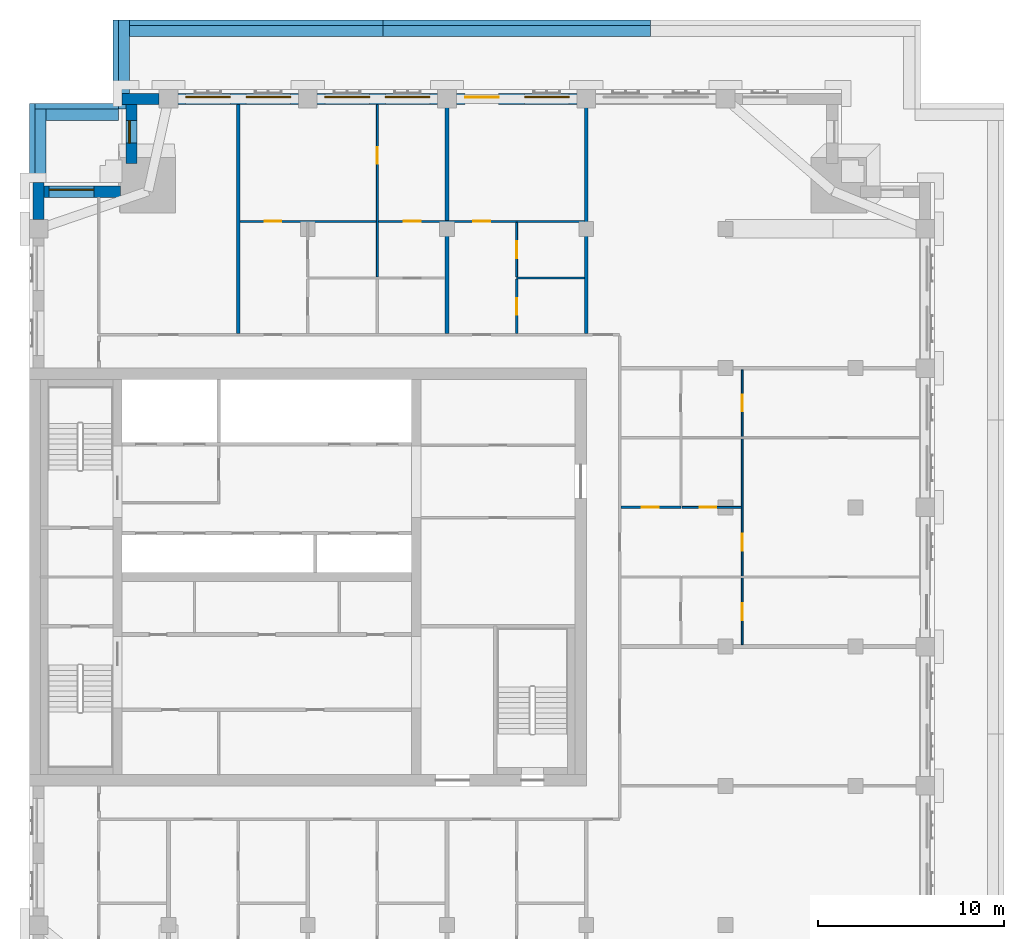
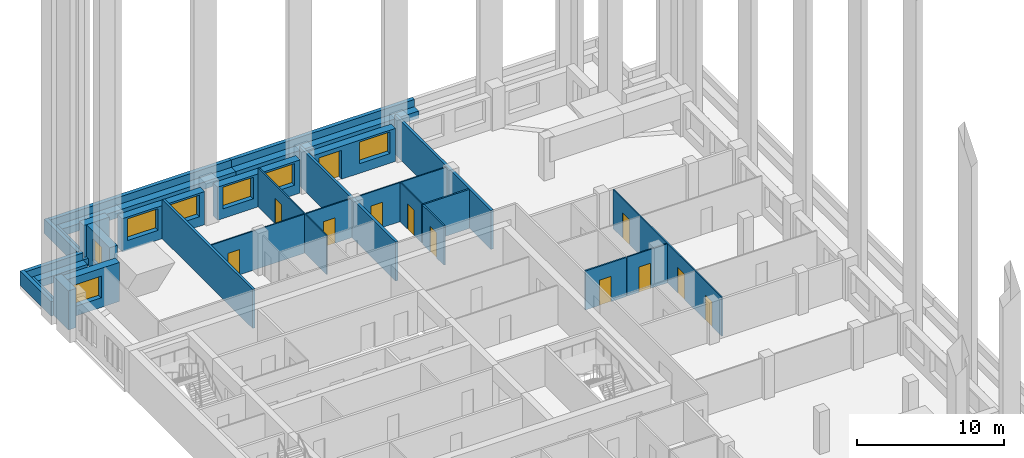
# One storey, part 7 of 12: 28 walls, 12 doors, 7 windows, 19 openings.
"""IFC4 building model written with IfcOpenShell, lengths in metres."""

from ifc_helpers import new_model, si_unit, direction, frame, frame_2d, origin, place, context, subcontext, project, spatial, rectangle, extrude, material, layer, layer_set, type_object, element, fill, save


model = new_model("IFC4")

# Units and contexts
model_context = context("Model", 3, precision=1e-05, world=origin(), true_north=direction((0.0, 1.0)))
body_context = subcontext(model_context, "Body", "Model", "MODEL_VIEW")
ifc_project = project(units=[si_unit("LENGTHUNIT", "METRE"), si_unit("AREAUNIT", "SQUARE_METRE"), si_unit("VOLUMEUNIT", "CUBIC_METRE"), si_unit("PLANEANGLEUNIT", "RADIAN"), si_unit("MASSUNIT", "GRAM", prefix="KILO")], contexts=[model_context])

# Site, building, storey
site_placement = place(None, origin())
site = spatial("IfcSite", under=ifc_project, at=site_placement, CompositionType="ELEMENT")
building_placement = place(site_placement, origin())
building = spatial("IfcBuilding", under=site, at=building_placement, Name="Tamorin Gate", CompositionType="ELEMENT")
storey_placement = place(building_placement, frame((0.0, 0.0, 219.699951171875)))
storey = spatial("IfcBuildingStorey", under=building, at=storey_placement, Name="L54", CompositionType="ELEMENT", Elevation=219.699951171875)

# Wall, openings, window, door
ifc_material_1 = material(Name="Precast concrete C40/50", Category="concrete")
ifc_layer_1 = layer(ifc_material_1, 0.60009765625)
ifc_layer_set_1 = layer_set([ifc_layer_1], Name="Precast concrete C40/50")
wall_type_1 = type_object("IfcWallType", Name="Board-marked concrete facade panel 600", PredefinedType="SOLIDWALL", material=ifc_layer_set_1)
wall_1_placement = place(storey_placement, frame((59.5, 97.0, 0.0), z_axis=(0.0, 0.0, 1.0), x_axis=(-1.0, 0.0, 0.0)))
wall_1 = element("IfcWall", 1, at=wall_1_placement, inside=storey, type_object=wall_type_1, Name="Facade panel", PredefinedType="SOLIDWALL", context=body_context, shape_type="SweptSolid", body=[
    extrude(rectangle(XDim=6.5, YDim=0.60009765625, at=frame_2d((3.25, 0.0))), origin(), (0.0, 0.0, 1.0), 2.75),
])
opening_1_placement = place(wall_1_placement, frame((4.22509765625, 0.0, 0.0)))
opening_1 = element("IfcOpeningElement", 2, at=opening_1_placement, cuts=wall_1, Name="Opening DX1", PredefinedType="OPENING", context=body_context, shape_type="SweptSolid", body=[
    extrude(rectangle(XDim=1.800048828125, YDim=2.39990234375, at=frame_2d((0.89990234375, 1.199951171875))), frame((0.0, 0.31005859375, 0.0), z_axis=(0.0, -1.0, 0.0), x_axis=(1.0, 0.0, 0.0)), (0.0, 0.0, 1.0), 0.6201171875),
])
opening_2_placement = place(wall_1_placement, frame((0.425048828125, 0.0, 0.800048828125)))
opening_2 = element("IfcOpeningElement", 3, at=opening_2_placement, cuts=wall_1, Name="Opening WN1", PredefinedType="OPENING", context=body_context, shape_type="SweptSolid", body=[
    extrude(rectangle(XDim=2.39990234375, YDim=1.800048828125, at=frame_2d((1.199951171875, 0.89990234375))), frame((0.0, 0.31005859375, 0.0), z_axis=(0.0, -1.0, 0.0), x_axis=(1.0, 0.0, 0.0)), (0.0, 0.0, 1.0), 0.6201171875),
])
ifc_material_2 = material(Name="Clear glass in aluminium frame", Category="aluminium")
window_type_1 = type_object("IfcWindowType", Name="Deep-set window 2400x1800", PartitioningType="SINGLE_PANEL", PredefinedType="WINDOW", material=ifc_material_2)
window_1_placement = place(opening_2_placement, origin())
window_1 = element("IfcWindow", 4, at=window_1_placement, inside=storey, type_object=window_type_1, Name="Deep-set window", OverallHeight=1.800048828125, OverallWidth=2.39990234375, PartitioningType="SINGLE_PANEL", PredefinedType="WINDOW", context=body_context, shape_type="SweptSolid", body=[
    extrude(rectangle(XDim=2.39990234375, YDim=1.800048828125, at=frame_2d((1.199951171875, 0.89990234375))), frame((0.0, -0.070068359375, 0.0), z_axis=(0.0, -1.0, 0.0), x_axis=(1.0, 0.0, 0.0)), (0.0, 0.0, 1.0), 0.06005859375),
])
fill(opening_2, window_1)
door_type_1 = type_object("IfcDoorType", Name="Terrace door 1800x2400", OperationType="DOUBLE_DOOR_SINGLE_SWING", PredefinedType="DOOR", material=ifc_material_2)
door_1_placement = place(opening_1_placement, origin())
door_1 = element("IfcDoor", 5, at=door_1_placement, inside=storey, type_object=door_type_1, Name="Terrace door", OperationType="SINGLE_SWING_LEFT", OverallHeight=2.39990234375, OverallWidth=1.800048828125, PredefinedType="DOOR", context=body_context, shape_type="SweptSolid", body=[
    extrude(rectangle(XDim=1.800048828125, YDim=2.39990234375, at=frame_2d((0.89990234375, 1.199951171875))), frame((0.0, -0.0751953125, 0.0), z_axis=(0.0, -1.0, 0.0), x_axis=(1.0, 0.0, 0.0)), (0.0, 0.0, 1.0), 0.050048828125),
])
fill(opening_1, door_1)

# Wall, openings, windows
wall_2_placement = place(storey_placement, frame((52.0, 97.0, 0.0), z_axis=(0.0, 0.0, 1.0), x_axis=(-1.0, 0.0, 0.0)))
wall_2 = element("IfcWall", 6, at=wall_2_placement, inside=storey, type_object=wall_type_1, Name="Facade panel", PredefinedType="SOLIDWALL", context=body_context, shape_type="SweptSolid", body=[
    extrude(rectangle(XDim=6.5, YDim=0.60009765625, at=frame_2d((3.25, 0.0))), origin(), (0.0, 0.0, 1.0), 2.75),
])
opening_3_placement = place(wall_2_placement, frame((3.675048828125, 0.0, 0.800048828125)))
opening_3 = element("IfcOpeningElement", 7, at=opening_3_placement, cuts=wall_2, Name="Opening WN1", PredefinedType="OPENING", context=body_context, shape_type="SweptSolid", body=[
    extrude(rectangle(XDim=2.39990234375, YDim=1.800048828125, at=frame_2d((1.199951171875, 0.89990234375))), frame((0.0, 0.31005859375, 0.0), z_axis=(0.0, -1.0, 0.0), x_axis=(1.0, 0.0, 0.0)), (0.0, 0.0, 1.0), 0.6201171875),
])
opening_4_placement = place(wall_2_placement, frame((0.425048828125, 0.0, 0.800048828125)))
opening_4 = element("IfcOpeningElement", 8, at=opening_4_placement, cuts=wall_2, Name="Opening WN1", PredefinedType="OPENING", context=body_context, shape_type="SweptSolid", body=[
    extrude(rectangle(XDim=2.39990234375, YDim=1.800048828125, at=frame_2d((1.199951171875, 0.89990234375))), frame((0.0, 0.31005859375, 0.0), z_axis=(0.0, -1.0, 0.0), x_axis=(1.0, 0.0, 0.0)), (0.0, 0.0, 1.0), 0.6201171875),
])
window_2_placement = place(opening_3_placement, origin())
window_2 = element("IfcWindow", 9, at=window_2_placement, inside=storey, type_object=window_type_1, Name="Deep-set window", OverallHeight=1.800048828125, OverallWidth=2.39990234375, PartitioningType="SINGLE_PANEL", PredefinedType="WINDOW", context=body_context, shape_type="SweptSolid", body=[
    extrude(rectangle(XDim=2.39990234375, YDim=1.800048828125, at=frame_2d((1.199951171875, 0.89990234375))), frame((0.0, -0.070068359375, 0.0), z_axis=(0.0, -1.0, 0.0), x_axis=(1.0, 0.0, 0.0)), (0.0, 0.0, 1.0), 0.06005859375),
])
fill(opening_3, window_2)
window_3_placement = place(opening_4_placement, origin())
window_3 = element("IfcWindow", 10, at=window_3_placement, inside=storey, type_object=window_type_1, Name="Deep-set window", OverallHeight=1.800048828125, OverallWidth=2.39990234375, PartitioningType="SINGLE_PANEL", PredefinedType="WINDOW", context=body_context, shape_type="SweptSolid", body=[
    extrude(rectangle(XDim=2.39990234375, YDim=1.800048828125, at=frame_2d((1.199951171875, 0.89990234375))), frame((0.0, -0.070068359375, 0.0), z_axis=(0.0, -1.0, 0.0), x_axis=(1.0, 0.0, 0.0)), (0.0, 0.0, 1.0), 0.06005859375),
])
fill(opening_4, window_3)

wall_3_placement = place(storey_placement, frame((44.5, 97.0, 0.0), z_axis=(0.0, 0.0, 1.0), x_axis=(-1.0, 0.0, 0.0)))
wall_3 = element("IfcWall", 11, at=wall_3_placement, inside=storey, type_object=wall_type_1, Name="Facade panel", PredefinedType="SOLIDWALL", context=body_context, shape_type="SweptSolid", body=[
    extrude(rectangle(XDim=6.5, YDim=0.60009765625, at=frame_2d((3.25, 0.0))), origin(), (0.0, 0.0, 1.0), 2.75),
])
opening_5_placement = place(wall_3_placement, frame((3.675048828125, 0.0, 0.800048828125)))
opening_5 = element("IfcOpeningElement", 12, at=opening_5_placement, cuts=wall_3, Name="Opening WN1", PredefinedType="OPENING", context=body_context, shape_type="SweptSolid", body=[
    extrude(rectangle(XDim=2.39990234375, YDim=1.800048828125, at=frame_2d((1.199951171875, 0.89990234375))), frame((0.0, 0.31005859375, 0.0), z_axis=(0.0, -1.0, 0.0), x_axis=(1.0, 0.0, 0.0)), (0.0, 0.0, 1.0), 0.6201171875),
])
opening_6_placement = place(wall_3_placement, frame((0.425048828125, 0.0, 0.800048828125)))
opening_6 = element("IfcOpeningElement", 13, at=opening_6_placement, cuts=wall_3, Name="Opening WN1", PredefinedType="OPENING", context=body_context, shape_type="SweptSolid", body=[
    extrude(rectangle(XDim=2.39990234375, YDim=1.800048828125, at=frame_2d((1.199951171875, 0.89990234375))), frame((0.0, 0.31005859375, 0.0), z_axis=(0.0, -1.0, 0.0), x_axis=(1.0, 0.0, 0.0)), (0.0, 0.0, 1.0), 0.6201171875),
])
window_4_placement = place(opening_5_placement, origin())
window_4 = element("IfcWindow", 14, at=window_4_placement, inside=storey, type_object=window_type_1, Name="Deep-set window", OverallHeight=1.800048828125, OverallWidth=2.39990234375, PartitioningType="SINGLE_PANEL", PredefinedType="WINDOW", context=body_context, shape_type="SweptSolid", body=[
    extrude(rectangle(XDim=2.39990234375, YDim=1.800048828125, at=frame_2d((1.199951171875, 0.89990234375))), frame((0.0, -0.070068359375, 0.0), z_axis=(0.0, -1.0, 0.0), x_axis=(1.0, 0.0, 0.0)), (0.0, 0.0, 1.0), 0.06005859375),
])
fill(opening_5, window_4)
window_5_placement = place(opening_6_placement, origin())
window_5 = element("IfcWindow", 15, at=window_5_placement, inside=storey, type_object=window_type_1, Name="Deep-set window", OverallHeight=1.800048828125, OverallWidth=2.39990234375, PartitioningType="SINGLE_PANEL", PredefinedType="WINDOW", context=body_context, shape_type="SweptSolid", body=[
    extrude(rectangle(XDim=2.39990234375, YDim=1.800048828125, at=frame_2d((1.199951171875, 0.89990234375))), frame((0.0, -0.070068359375, 0.0), z_axis=(0.0, -1.0, 0.0), x_axis=(1.0, 0.0, 0.0)), (0.0, 0.0, 1.0), 0.06005859375),
])
fill(opening_6, window_5)

# Wall
wall_4_placement = place(storey_placement, frame((37.0, 97.0, 0.0), z_axis=(0.0, 0.0, 1.0), x_axis=(-1.0, 0.0, 0.0)))
element("IfcWall", 16, at=wall_4_placement, inside=storey, type_object=wall_type_1, Name="Facade panel", PredefinedType="SOLIDWALL", context=body_context, shape_type="SweptSolid", body=[
    extrude(rectangle(XDim=2.0, YDim=0.60009765625, at=frame_2d((1.0, 0.0))), origin(), (0.0, 0.0, 1.0), 3.25),
])

# Wall, opening, window
wall_5_placement = place(storey_placement, frame((35.5, 96.699951171875, 0.0), z_axis=(0.0, 0.0, 1.0), x_axis=(0.0, -1.0, 0.0)))
wall_5 = element("IfcWall", 17, at=wall_5_placement, inside=storey, type_object=wall_type_1, Name="Facade panel", PredefinedType="SOLIDWALL", context=body_context, shape_type="SweptSolid", body=[
    extrude(rectangle(XDim=3.168701171875, YDim=0.60009765625, at=frame_2d((1.58447265625, 0.0))), origin(), (0.0, 0.0, 1.0), 3.25),
])
opening_7_placement = place(wall_5_placement, frame((0.875, 0.0, 0.800048828125)))
opening_7 = element("IfcOpeningElement", 18, at=opening_7_placement, cuts=wall_5, Name="Opening WN3", PredefinedType="OPENING", context=body_context, shape_type="SweptSolid", body=[
    extrude(rectangle(XDim=1.199951171875, YDim=1.800048828125, at=frame_2d((0.60009765625, 0.89990234375))), frame((0.0, 0.31005859375, 0.0), z_axis=(0.0, -1.0, 0.0), x_axis=(1.0, 0.0, 0.0)), (0.0, 0.0, 1.0), 0.6201171875),
])
window_type_2 = type_object("IfcWindowType", Name="Deep-set window 1200x1800", PartitioningType="SINGLE_PANEL", PredefinedType="WINDOW", material=ifc_material_2)
window_6_placement = place(opening_7_placement, origin())
window_6 = element("IfcWindow", 19, at=window_6_placement, inside=storey, type_object=window_type_2, Name="Deep-set window", OverallHeight=1.800048828125, OverallWidth=1.199951171875, PartitioningType="SINGLE_PANEL", PredefinedType="WINDOW", context=body_context, shape_type="SweptSolid", body=[
    extrude(rectangle(XDim=1.199951171875, YDim=1.800048828125, at=frame_2d((0.60009765625, 0.89990234375))), frame((0.0, -0.070068359375, 0.0), z_axis=(0.0, -1.0, 0.0), x_axis=(1.0, 0.0, 0.0)), (0.0, 0.0, 1.0), 0.06005859375),
])
fill(opening_7, window_6)

wall_6_placement = place(storey_placement, frame((34.90625, 92.0, 0.0), z_axis=(0.0, 0.0, 1.0), x_axis=(-1.0, 0.0, 0.0)))
wall_6 = element("IfcWall", 20, at=wall_6_placement, inside=storey, type_object=wall_type_1, Name="Facade panel", PredefinedType="SOLIDWALL", context=body_context, shape_type="SweptSolid", body=[
    extrude(rectangle(XDim=4.106201171875, YDim=0.60009765625, at=frame_2d((2.05322265625, 0.0))), origin(), (0.0, 0.0, 1.0), 3.25),
])
opening_8_placement = place(wall_6_placement, frame((1.43115234375, 0.0, 0.800048828125)))
opening_8 = element("IfcOpeningElement", 21, at=opening_8_placement, cuts=wall_6, Name="Opening WN1", PredefinedType="OPENING", context=body_context, shape_type="SweptSolid", body=[
    extrude(rectangle(XDim=2.39990234375, YDim=1.800048828125, at=frame_2d((1.199951171875, 0.89990234375))), frame((0.0, 0.31005859375, 0.0), z_axis=(0.0, -1.0, 0.0), x_axis=(1.0, 0.0, 0.0)), (0.0, 0.0, 1.0), 0.6201171875),
])
window_7_placement = place(opening_8_placement, origin())
window_7 = element("IfcWindow", 22, at=window_7_placement, inside=storey, type_object=window_type_1, Name="Deep-set window", OverallHeight=1.800048828125, OverallWidth=2.39990234375, PartitioningType="SINGLE_PANEL", PredefinedType="WINDOW", context=body_context, shape_type="SweptSolid", body=[
    extrude(rectangle(XDim=2.39990234375, YDim=1.800048828125, at=frame_2d((1.199951171875, 0.89990234375))), frame((0.0, -0.070068359375, 0.0), z_axis=(0.0, -1.0, 0.0), x_axis=(1.0, 0.0, 0.0)), (0.0, 0.0, 1.0), 0.06005859375),
])
fill(opening_8, window_7)

# Walls
wall_7_placement = place(storey_placement, frame((30.5, 92.5, 0.0), z_axis=(0.0, 0.0, 1.0), x_axis=(0.0, -1.0, 0.0)))
element("IfcWall", 23, at=wall_7_placement, inside=storey, type_object=wall_type_1, Name="Facade panel", PredefinedType="SOLIDWALL", context=body_context, shape_type="SweptSolid", body=[
    extrude(rectangle(XDim=2.0, YDim=0.60009765625, at=frame_2d((1.0, 0.0))), origin(), (0.0, 0.0, 1.0), 3.25),
])
ifc_material_3 = material(Name="Gypsum board partition")
ifc_layer_2 = layer(ifc_material_3, 0.199951171875)
ifc_layer_set_2 = layer_set([ifc_layer_2], Name="Demising wall 200")
wall_type_2 = type_object("IfcWallType", Name="Demising wall 200", PredefinedType="PARTITIONING", material=ifc_layer_set_2)
wall_8_placement = place(storey_placement, frame((41.25, 84.375, 0.0), z_axis=(0.0, 0.0, 1.0), x_axis=(0.0, 1.0, 0.0)))
element("IfcWall", 24, at=wall_8_placement, inside=storey, type_object=wall_type_2, Name="Demising wall 200", PredefinedType="PARTITIONING", context=body_context, shape_type="SweptSolid", body=[
    extrude(rectangle(XDim=12.31494140625, YDim=0.199951171875, at=frame_2d((6.157470703125, 0.0))), origin(), (0.0, 0.0, 1.0), 3.25),
])
for number, where, z_axis, x_axis, name in (
    (25, (52.5, 84.375, 0.0), (0.0, 0.0, 1.0), (0.0, 1.0, 0.0), "Demising wall 200"),
    (26, (60.0, 84.375, 0.0), (0.0, 0.0, 1.0), (0.0, 1.0, 0.0), "Demising wall 200"),
):
    element("IfcWall", number, at=place(storey_placement, frame(where, z_axis=z_axis, x_axis=x_axis)), inside=storey, type_object=wall_type_2, Name=name, PredefinedType="PARTITIONING", context=body_context, shape_type="SweptSolid", body=[
        extrude(rectangle(XDim=13.125, YDim=0.199951171875, at=frame_2d((6.5625, 0.0))), origin(), (0.0, 0.0, 1.0), 3.25),
    ])

# Wall, opening, door
ifc_layer_3 = layer(ifc_material_3, 0.10009765625)
ifc_layer_set_3 = layer_set([ifc_layer_3], Name="Room partition 100")
wall_type_3 = type_object("IfcWallType", Name="Room partition 100", PredefinedType="PARTITIONING", material=ifc_layer_set_3)
wall_9_placement = place(storey_placement, frame((65.16259765625, 75.0, 0.0), z_axis=(0.0, 0.0, 1.0), x_axis=(1.0, 0.0, 0.0)))
wall_9 = element("IfcWall", 27, at=wall_9_placement, inside=storey, type_object=wall_type_3, Name="Room partition 100", PredefinedType="PARTITIONING", context=body_context, shape_type="SweptSolid", body=[
    extrude(rectangle(XDim=3.1875, YDim=0.10009765625, at=frame_2d((1.59375, 0.0))), origin(), (0.0, 0.0, 1.0), 3.25),
])
opening_9_placement = place(wall_9_placement, frame((0.9375, 0.0, 0.0)))
opening_9 = element("IfcOpeningElement", 28, at=opening_9_placement, cuts=wall_9, Name="Opening DTF5038", PredefinedType="OPENING", context=body_context, shape_type="SweptSolid", body=[
    extrude(rectangle(XDim=0.89990234375, YDim=2.10009765625, at=frame_2d((0.449951171875, 1.050048828125))), frame((0.0, 0.06005859375, 0.0), z_axis=(0.0, -1.0, 0.0), x_axis=(1.0, 0.0, 0.0)), (0.0, 0.0, 1.0), 0.1201171875),
])
ifc_material_4 = material(Name="Timber door leaf", Category="wood")
door_type_2 = type_object("IfcDoorType", Name="Door 900 x 2100", OperationType="NOTDEFINED", PredefinedType="DOOR", material=ifc_material_4)
door_2_placement = place(opening_9_placement, origin())
door_2 = element("IfcDoor", 29, at=door_2_placement, inside=storey, type_object=door_type_2, Name="Door DTF5038", OperationType="SINGLE_SWING_LEFT", OverallHeight=2.10009765625, OverallWidth=0.89990234375, PredefinedType="DOOR", context=body_context, shape_type="SweptSolid", body=[
    extrude(rectangle(XDim=0.89990234375, YDim=2.10009765625, at=frame_2d((0.449951171875, 1.050048828125))), frame((0.0, 0.02490234375, 0.0), z_axis=(0.0, -1.0, 0.0), x_axis=(1.0, 0.0, 0.0)), (0.0, 0.0, 1.0), 0.050048828125),
])
fill(opening_9, door_2)

# Wall, openings, doors
wall_10_placement = place(storey_placement, frame((41.35009765625, 90.39990234375, 0.0), z_axis=(0.0, 0.0, 1.0), x_axis=(1.0, 0.0, 0.0)))
wall_10 = element("IfcWall", 30, at=wall_10_placement, inside=storey, type_object=wall_type_3, Name="Room partition 100", PredefinedType="PARTITIONING", context=body_context, shape_type="SweptSolid", body=[
    extrude(rectangle(XDim=18.5498046875, YDim=0.10009765625, at=frame_2d((9.27490234375, 0.0))), origin(), (0.0, 0.0, 1.0), 3.25),
])
opening_10_placement = place(wall_10_placement, frame((1.324951171875, 0.0, 0.0)))
opening_10 = element("IfcOpeningElement", 31, at=opening_10_placement, cuts=wall_10, Name="Opening DTF5022", PredefinedType="OPENING", context=body_context, shape_type="SweptSolid", body=[
    extrude(rectangle(XDim=0.89990234375, YDim=2.10009765625, at=frame_2d((0.449951171875, 1.050048828125))), frame((0.0, 0.06005859375, 0.0), z_axis=(0.0, -1.0, 0.0), x_axis=(1.0, 0.0, 0.0)), (0.0, 0.0, 1.0), 0.1201171875),
])
opening_11_placement = place(wall_10_placement, frame((8.824951171875, 0.0, 0.0)))
opening_11 = element("IfcOpeningElement", 32, at=opening_11_placement, cuts=wall_10, Name="Opening DTF5025", PredefinedType="OPENING", context=body_context, shape_type="SweptSolid", body=[
    extrude(rectangle(XDim=0.89990234375, YDim=2.10009765625, at=frame_2d((0.449951171875, 1.050048828125))), frame((0.0, 0.06005859375, 0.0), z_axis=(0.0, -1.0, 0.0), x_axis=(1.0, 0.0, 0.0)), (0.0, 0.0, 1.0), 0.1201171875),
])
opening_12_placement = place(wall_10_placement, frame((12.574951171875, 0.0, 0.0)))
opening_12 = element("IfcOpeningElement", 33, at=opening_12_placement, cuts=wall_10, Name="Opening DTF5029", PredefinedType="OPENING", context=body_context, shape_type="SweptSolid", body=[
    extrude(rectangle(XDim=0.89990234375, YDim=2.10009765625, at=frame_2d((0.449951171875, 1.050048828125))), frame((0.0, 0.06005859375, 0.0), z_axis=(0.0, -1.0, 0.0), x_axis=(1.0, 0.0, 0.0)), (0.0, 0.0, 1.0), 0.1201171875),
])
door_3_placement = place(opening_10_placement, origin())
door_3 = element("IfcDoor", 34, at=door_3_placement, inside=storey, type_object=door_type_2, Name="Door DTF5022", OperationType="SINGLE_SWING_RIGHT", OverallHeight=2.10009765625, OverallWidth=0.89990234375, PredefinedType="DOOR", context=body_context, shape_type="SweptSolid", body=[
    extrude(rectangle(XDim=0.89990234375, YDim=2.10009765625, at=frame_2d((0.449951171875, 1.050048828125))), frame((0.0, 0.02490234375, 0.0), z_axis=(0.0, -1.0, 0.0), x_axis=(1.0, 0.0, 0.0)), (0.0, 0.0, 1.0), 0.050048828125),
])
fill(opening_10, door_3)
door_4_placement = place(opening_11_placement, origin())
door_4 = element("IfcDoor", 35, at=door_4_placement, inside=storey, type_object=door_type_2, Name="Door DTF5025", OperationType="SINGLE_SWING_RIGHT", OverallHeight=2.10009765625, OverallWidth=0.89990234375, PredefinedType="DOOR", context=body_context, shape_type="SweptSolid", body=[
    extrude(rectangle(XDim=0.89990234375, YDim=2.10009765625, at=frame_2d((0.449951171875, 1.050048828125))), frame((0.0, 0.02490234375, 0.0), z_axis=(0.0, -1.0, 0.0), x_axis=(1.0, 0.0, 0.0)), (0.0, 0.0, 1.0), 0.050048828125),
])
fill(opening_11, door_4)
door_5_placement = place(opening_12_placement, origin())
door_5 = element("IfcDoor", 36, at=door_5_placement, inside=storey, type_object=door_type_2, Name="Door DTF5029", OperationType="SINGLE_SWING_RIGHT", OverallHeight=2.10009765625, OverallWidth=0.89990234375, PredefinedType="DOOR", context=body_context, shape_type="SweptSolid", body=[
    extrude(rectangle(XDim=0.89990234375, YDim=2.10009765625, at=frame_2d((0.449951171875, 1.050048828125))), frame((0.0, 0.02490234375, 0.0), z_axis=(0.0, -1.0, 0.0), x_axis=(1.0, 0.0, 0.0)), (0.0, 0.0, 1.0), 0.050048828125),
])
fill(opening_12, door_5)

# Wall, opening, door
wall_11_placement = place(storey_placement, frame((48.75, 87.41259765625, 0.0), z_axis=(0.0, 0.0, 1.0), x_axis=(0.0, 1.0, 0.0)))
wall_11 = element("IfcWall", 37, at=wall_11_placement, inside=storey, type_object=wall_type_3, Name="Room partition 100", PredefinedType="PARTITIONING", context=body_context, shape_type="SweptSolid", body=[
    extrude(rectangle(XDim=9.27734375, YDim=0.10009765625, at=frame_2d((4.638671875, 0.0))), origin(), (0.0, 0.0, 1.0), 3.25),
])
opening_13_placement = place(wall_11_placement, frame((6.08740234375, 0.0, 0.0)))
opening_13 = element("IfcOpeningElement", 38, at=opening_13_placement, cuts=wall_11, Name="Opening DTF5027", PredefinedType="OPENING", context=body_context, shape_type="SweptSolid", body=[
    extrude(rectangle(XDim=0.89990234375, YDim=2.10009765625, at=frame_2d((0.449951171875, 1.050048828125))), frame((0.0, 0.06005859375, 0.0), z_axis=(0.0, -1.0, 0.0), x_axis=(1.0, 0.0, 0.0)), (0.0, 0.0, 1.0), 0.1201171875),
])
door_6_placement = place(opening_13_placement, origin())
door_6 = element("IfcDoor", 39, at=door_6_placement, inside=storey, type_object=door_type_2, Name="Door DTF5027", OperationType="SINGLE_SWING_RIGHT", OverallHeight=2.10009765625, OverallWidth=0.89990234375, PredefinedType="DOOR", context=body_context, shape_type="SweptSolid", body=[
    extrude(rectangle(XDim=0.89990234375, YDim=2.10009765625, at=frame_2d((0.449951171875, 1.050048828125))), frame((0.0, 0.02490234375, 0.0), z_axis=(0.0, -1.0, 0.0), x_axis=(1.0, 0.0, 0.0)), (0.0, 0.0, 1.0), 0.050048828125),
])
fill(opening_13, door_6)

wall_12_placement = place(storey_placement, frame((56.25, 87.41259765625, 0.0), z_axis=(0.0, 0.0, 1.0), x_axis=(0.0, 1.0, 0.0)))
wall_12 = element("IfcWall", 40, at=wall_12_placement, inside=storey, type_object=wall_type_3, Name="Room partition 100", PredefinedType="PARTITIONING", context=body_context, shape_type="SweptSolid", body=[
    extrude(rectangle(XDim=2.9375, YDim=0.10009765625, at=frame_2d((1.46875, 0.0))), origin(), (0.0, 0.0, 1.0), 3.25),
])
opening_14_placement = place(wall_12_placement, frame((1.012451171875, 0.0, 0.0)))
opening_14 = element("IfcOpeningElement", 41, at=opening_14_placement, cuts=wall_12, Name="Opening DTF5030", PredefinedType="OPENING", context=body_context, shape_type="SweptSolid", body=[
    extrude(rectangle(XDim=0.89990234375, YDim=2.10009765625, at=frame_2d((0.449951171875, 1.050048828125))), frame((0.0, 0.06005859375, 0.0), z_axis=(0.0, -1.0, 0.0), x_axis=(1.0, 0.0, 0.0)), (0.0, 0.0, 1.0), 0.1201171875),
])
door_7_placement = place(opening_14_placement, origin())
door_7 = element("IfcDoor", 42, at=door_7_placement, inside=storey, type_object=door_type_2, Name="Door DTF5030", OperationType="SINGLE_SWING_RIGHT", OverallHeight=2.10009765625, OverallWidth=0.89990234375, PredefinedType="DOOR", context=body_context, shape_type="SweptSolid", body=[
    extrude(rectangle(XDim=0.89990234375, YDim=2.10009765625, at=frame_2d((0.449951171875, 1.050048828125))), frame((0.0, 0.02490234375, 0.0), z_axis=(0.0, -1.0, 0.0), x_axis=(1.0, 0.0, 0.0)), (0.0, 0.0, 1.0), 0.050048828125),
])
fill(opening_14, door_7)

# Wall, openings, doors
wall_13_placement = place(storey_placement, frame((68.39990234375, 67.60009765625, 0.0), z_axis=(0.0, 0.0, 1.0), x_axis=(0.0, 1.0, 0.0)))
wall_13 = element("IfcWall", 43, at=wall_13_placement, inside=storey, type_object=wall_type_3, Name="Room partition 100", PredefinedType="PARTITIONING", context=body_context, shape_type="SweptSolid", body=[
    extrude(rectangle(XDim=14.7998046875, YDim=0.10009765625, at=frame_2d((7.39990234375, 0.0))), origin(), (0.0, 0.0, 1.0), 3.25),
])
opening_15_placement = place(wall_13_placement, frame((1.324951171875, 0.0, 0.0)))
opening_15 = element("IfcOpeningElement", 44, at=opening_15_placement, cuts=wall_13, Name="Opening DTF5034", PredefinedType="OPENING", context=body_context, shape_type="SweptSolid", body=[
    extrude(rectangle(XDim=0.89990234375, YDim=2.10009765625, at=frame_2d((0.449951171875, 1.050048828125))), frame((0.0, 0.06005859375, 0.0), z_axis=(0.0, -1.0, 0.0), x_axis=(1.0, 0.0, 0.0)), (0.0, 0.0, 1.0), 0.1201171875),
])
opening_16_placement = place(wall_13_placement, frame((5.074951171875, 0.0, 0.0)))
opening_16 = element("IfcOpeningElement", 45, at=opening_16_placement, cuts=wall_13, Name="Opening DTF5037", PredefinedType="OPENING", context=body_context, shape_type="SweptSolid", body=[
    extrude(rectangle(XDim=0.89990234375, YDim=2.10009765625, at=frame_2d((0.449951171875, 1.050048828125))), frame((0.0, 0.06005859375, 0.0), z_axis=(0.0, -1.0, 0.0), x_axis=(1.0, 0.0, 0.0)), (0.0, 0.0, 1.0), 0.1201171875),
])
opening_17_placement = place(wall_13_placement, frame((12.574951171875, 0.0, 0.0)))
opening_17 = element("IfcOpeningElement", 46, at=opening_17_placement, cuts=wall_13, Name="Opening DTF5040", PredefinedType="OPENING", context=body_context, shape_type="SweptSolid", body=[
    extrude(rectangle(XDim=0.89990234375, YDim=2.10009765625, at=frame_2d((0.449951171875, 1.050048828125))), frame((0.0, 0.06005859375, 0.0), z_axis=(0.0, -1.0, 0.0), x_axis=(1.0, 0.0, 0.0)), (0.0, 0.0, 1.0), 0.1201171875),
])
door_8_placement = place(opening_15_placement, origin())
door_8 = element("IfcDoor", 47, at=door_8_placement, inside=storey, type_object=door_type_2, Name="Door DTF5034", OperationType="SINGLE_SWING_LEFT", OverallHeight=2.10009765625, OverallWidth=0.89990234375, PredefinedType="DOOR", context=body_context, shape_type="SweptSolid", body=[
    extrude(rectangle(XDim=0.89990234375, YDim=2.10009765625, at=frame_2d((0.449951171875, 1.050048828125))), frame((0.0, 0.02490234375, 0.0), z_axis=(0.0, -1.0, 0.0), x_axis=(1.0, 0.0, 0.0)), (0.0, 0.0, 1.0), 0.050048828125),
])
fill(opening_15, door_8)
door_9_placement = place(opening_16_placement, origin())
door_9 = element("IfcDoor", 48, at=door_9_placement, inside=storey, type_object=door_type_2, Name="Door DTF5037", OperationType="SINGLE_SWING_LEFT", OverallHeight=2.10009765625, OverallWidth=0.89990234375, PredefinedType="DOOR", context=body_context, shape_type="SweptSolid", body=[
    extrude(rectangle(XDim=0.89990234375, YDim=2.10009765625, at=frame_2d((0.449951171875, 1.050048828125))), frame((0.0, 0.02490234375, 0.0), z_axis=(0.0, -1.0, 0.0), x_axis=(1.0, 0.0, 0.0)), (0.0, 0.0, 1.0), 0.050048828125),
])
fill(opening_16, door_9)
door_10_placement = place(opening_17_placement, origin())
door_10 = element("IfcDoor", 49, at=door_10_placement, inside=storey, type_object=door_type_2, Name="Door DTF5040", OperationType="SINGLE_SWING_LEFT", OverallHeight=2.10009765625, OverallWidth=0.89990234375, PredefinedType="DOOR", context=body_context, shape_type="SweptSolid", body=[
    extrude(rectangle(XDim=0.89990234375, YDim=2.10009765625, at=frame_2d((0.449951171875, 1.050048828125))), frame((0.0, 0.02490234375, 0.0), z_axis=(0.0, -1.0, 0.0), x_axis=(1.0, 0.0, 0.0)), (0.0, 0.0, 1.0), 0.050048828125),
])
fill(opening_17, door_10)

# Walls
ifc_layer_4 = layer(ifc_material_1, 0.300048828125)
ifc_layer_set_4 = layer_set([ifc_layer_4], Name="Terrace parapet 300")
wall_type_4 = type_object("IfcWallType", Name="Terrace parapet 300", PredefinedType="PARAPET", material=ifc_layer_set_4)
wall_14_placement = place(storey_placement, frame((30.0, 96.60009765625, 0.0), z_axis=(0.0, 0.0, 1.0), x_axis=(1.0, 0.0, 0.0)))
element("IfcWall", 50, at=wall_14_placement, inside=storey, type_object=wall_type_4, Name="Terrace parapet", PredefinedType="PARAPET", context=body_context, shape_type="SweptSolid", body=[
    extrude(rectangle(XDim=4.800048828125, YDim=0.300048828125, at=frame_2d((2.39990234375, 0.0))), origin(), (0.0, 0.0, 1.0), 1.199951171875),
])
wall_15_placement = place(storey_placement, frame((34.64990234375, 96.75, 0.0), z_axis=(0.0, 0.0, 1.0), x_axis=(0.0, 1.0, 0.0)))
element("IfcWall", 51, at=wall_15_placement, inside=storey, type_object=wall_type_4, Name="Terrace parapet", PredefinedType="PARAPET", context=body_context, shape_type="SweptSolid", body=[
    extrude(rectangle(XDim=4.5, YDim=0.300048828125, at=frame_2d((2.25, 0.0))), origin(), (0.0, 0.0, 1.0), 1.199951171875),
])
wall_16_placement = place(storey_placement, frame((34.800048828125, 101.10009765625, 0.0), z_axis=(0.0, 0.0, 1.0), x_axis=(1.0, 0.0, 0.0)))
element("IfcWall", 52, at=wall_16_placement, inside=storey, type_object=wall_type_4, Name="Terrace parapet", PredefinedType="PARAPET", context=body_context, shape_type="SweptSolid", body=[
    extrude(rectangle(XDim=14.25, YDim=0.300048828125, at=frame_2d((7.125, 0.0))), origin(), (0.0, 0.0, 1.0), 1.199951171875),
])
wall_17_placement = place(storey_placement, frame((49.050048828125, 101.10009765625, 0.0), z_axis=(0.0, 0.0, 1.0), x_axis=(1.0, 0.0, 0.0)))
element("IfcWall", 53, at=wall_17_placement, inside=storey, type_object=wall_type_4, Name="Terrace parapet", PredefinedType="PARAPET", context=body_context, shape_type="SweptSolid", body=[
    extrude(rectangle(XDim=14.39990234375, YDim=0.300048828125, at=frame_2d((7.199951171875, 0.0))), origin(), (0.0, 0.0, 1.0), 1.199951171875),
])
wall_18_placement = place(storey_placement, frame((30.14990234375, 92.5, 0.0), z_axis=(0.0, 0.0, 1.0), x_axis=(0.0, 1.0, 0.0)))
element("IfcWall", 54, at=wall_18_placement, inside=storey, type_object=wall_type_4, Name="Terrace parapet", PredefinedType="PARAPET", context=body_context, shape_type="SweptSolid", body=[
    extrude(rectangle(XDim=4.25, YDim=0.300048828125, at=frame_2d((2.125, 0.0))), origin(), (0.0, 0.0, 1.0), 1.199951171875),
])
ifc_layer_5 = layer(ifc_material_1, 0.60009765625)
ifc_layer_set_5 = layer_set([ifc_layer_5], Name="Terrace planter wall 600")
wall_type_5 = type_object("IfcWallType", Name="Terrace planter wall 600", PredefinedType="STANDARD", material=ifc_layer_set_5)
for number, where, z_axis, x_axis, name in (
    (55, (30.0, 96.14990234375, 0.0), (0.0, 0.0, 1.0), (1.0, 0.0, 0.0), "PLANTER wall"),
    (56, (35.10009765625, 96.449951171875, 0.0), (0.0, 0.0, 1.0), (0.0, 1.0, 0.0), "PLANTER wall"),
):
    element("IfcWall", number, at=place(storey_placement, frame(where, z_axis=z_axis, x_axis=x_axis)), inside=storey, type_object=wall_type_5, Name=name, PredefinedType="STANDARD", context=body_context, shape_type="SweptSolid", body=[
        extrude(rectangle(XDim=4.800048828125, YDim=0.60009765625, at=frame_2d((2.39990234375, 0.0))), origin(), (0.0, 0.0, 1.0), 0.60009765625),
    ])
wall_19_placement = place(storey_placement, frame((35.39990234375, 100.64990234375, 0.0), z_axis=(0.0, 0.0, 1.0), x_axis=(1.0, 0.0, 0.0)))
element("IfcWall", 57, at=wall_19_placement, inside=storey, type_object=wall_type_5, Name="PLANTER wall", PredefinedType="STANDARD", context=body_context, shape_type="SweptSolid", body=[
    extrude(rectangle(XDim=13.650146484375, YDim=0.60009765625, at=frame_2d((6.8251953125, 0.0))), origin(), (0.0, 0.0, 1.0), 0.60009765625),
])
wall_20_placement = place(storey_placement, frame((49.050048828125, 100.64990234375, 0.0), z_axis=(0.0, 0.0, 1.0), x_axis=(1.0, 0.0, 0.0)))
element("IfcWall", 58, at=wall_20_placement, inside=storey, type_object=wall_type_5, Name="PLANTER wall", PredefinedType="STANDARD", context=body_context, shape_type="SweptSolid", body=[
    extrude(rectangle(XDim=14.39990234375, YDim=0.60009765625, at=frame_2d((7.199951171875, 0.0))), origin(), (0.0, 0.0, 1.0), 0.60009765625),
])
wall_21_placement = place(storey_placement, frame((30.60009765625, 96.75, 0.0), z_axis=(0.0, 0.0, 1.0), x_axis=(0.0, -1.0, 0.0)))
element("IfcWall", 59, at=wall_21_placement, inside=storey, type_object=wall_type_5, Name="PLANTER wall", PredefinedType="STANDARD", context=body_context, shape_type="SweptSolid", body=[
    extrude(rectangle(XDim=4.199951171875, YDim=0.60009765625, at=frame_2d((2.10009765625, 0.0))), origin(), (0.0, 0.0, 1.0), 0.60009765625),
])

# Wall, opening, door
ifc_layer_6 = layer(ifc_material_3, 0.125)
ifc_layer_set_6 = layer_set([ifc_layer_6], Name="Wet wall 125")
wall_type_6 = type_object("IfcWallType", Name="Wet wall 125", PredefinedType="PARTITIONING", material=ifc_layer_set_6)
wall_22_placement = place(storey_placement, frame((61.875, 75.0, 0.0), z_axis=(0.0, 0.0, 1.0), x_axis=(1.0, 0.0, 0.0)))
wall_22 = element("IfcWall", 60, at=wall_22_placement, inside=storey, type_object=wall_type_6, Name="Wet wall 125", PredefinedType="PARTITIONING", context=body_context, shape_type="SweptSolid", body=[
    extrude(rectangle(XDim=3.22509765625, YDim=0.125, at=frame_2d((1.612548828125, 0.0))), origin(), (0.0, 0.0, 1.0), 3.25),
])
opening_18_placement = place(wall_22_placement, frame((1.125, 0.0, 0.0)))
opening_18 = element("IfcOpeningElement", 61, at=opening_18_placement, cuts=wall_22, Name="Opening DTF5039", PredefinedType="OPENING", context=body_context, shape_type="SweptSolid", body=[
    extrude(rectangle(XDim=0.89990234375, YDim=2.10009765625, at=frame_2d((0.449951171875, 1.050048828125))), frame((0.0, 0.072509765625, 0.0), z_axis=(0.0, -1.0, 0.0), x_axis=(1.0, 0.0, 0.0)), (0.0, 0.0, 1.0), 0.14501953125),
])
door_11_placement = place(opening_18_placement, origin())
door_11 = element("IfcDoor", 62, at=door_11_placement, inside=storey, type_object=door_type_2, Name="Door DTF5039", OperationType="SINGLE_SWING_RIGHT", OverallHeight=2.10009765625, OverallWidth=0.89990234375, PredefinedType="DOOR", context=body_context, shape_type="SweptSolid", body=[
    extrude(rectangle(XDim=0.89990234375, YDim=2.10009765625, at=frame_2d((0.449951171875, 1.050048828125))), frame((0.0, 0.02490234375, 0.0), z_axis=(0.0, -1.0, 0.0), x_axis=(1.0, 0.0, 0.0)), (0.0, 0.0, 1.0), 0.050048828125),
])
fill(opening_18, door_11)

# Wall
wall_23_placement = place(storey_placement, frame((56.25, 87.35009765625, 0.0), z_axis=(0.0, 0.0, 1.0), x_axis=(1.0, 0.0, 0.0)))
element("IfcWall", 63, at=wall_23_placement, inside=storey, type_object=wall_type_6, Name="Wet wall 125", PredefinedType="PARTITIONING", context=body_context, shape_type="SweptSolid", body=[
    extrude(rectangle(XDim=3.64990234375, YDim=0.125, at=frame_2d((1.824951171875, 0.0))), origin(), (0.0, 0.0, 1.0), 3.25),
])

# Wall, opening, door
wall_24_placement = place(storey_placement, frame((56.25, 84.375, 0.0), z_axis=(0.0, 0.0, 1.0), x_axis=(0.0, 1.0, 0.0)))
wall_24 = element("IfcWall", 64, at=wall_24_placement, inside=storey, type_object=wall_type_6, Name="Wet wall 125", PredefinedType="PARTITIONING", context=body_context, shape_type="SweptSolid", body=[
    extrude(rectangle(XDim=2.91259765625, YDim=0.125, at=frame_2d((1.456298828125, 0.0))), origin(), (0.0, 0.0, 1.0), 3.25),
])
opening_19_placement = place(wall_24_placement, frame((1.0, 0.0, 0.0)))
opening_19 = element("IfcOpeningElement", 65, at=opening_19_placement, cuts=wall_24, Name="Opening DTF5031", PredefinedType="OPENING", context=body_context, shape_type="SweptSolid", body=[
    extrude(rectangle(XDim=0.89990234375, YDim=2.10009765625, at=frame_2d((0.449951171875, 1.050048828125))), frame((0.0, 0.072509765625, 0.0), z_axis=(0.0, -1.0, 0.0), x_axis=(1.0, 0.0, 0.0)), (0.0, 0.0, 1.0), 0.14501953125),
])
door_12_placement = place(opening_19_placement, origin())
door_12 = element("IfcDoor", 66, at=door_12_placement, inside=storey, type_object=door_type_2, Name="Door DTF5031", OperationType="SINGLE_SWING_LEFT", OverallHeight=2.10009765625, OverallWidth=0.89990234375, PredefinedType="DOOR", context=body_context, shape_type="SweptSolid", body=[
    extrude(rectangle(XDim=0.89990234375, YDim=2.10009765625, at=frame_2d((0.449951171875, 1.050048828125))), frame((0.0, 0.02490234375, 0.0), z_axis=(0.0, -1.0, 0.0), x_axis=(1.0, 0.0, 0.0)), (0.0, 0.0, 1.0), 0.050048828125),
])
fill(opening_19, door_12)

save(model, "model.ifc")
